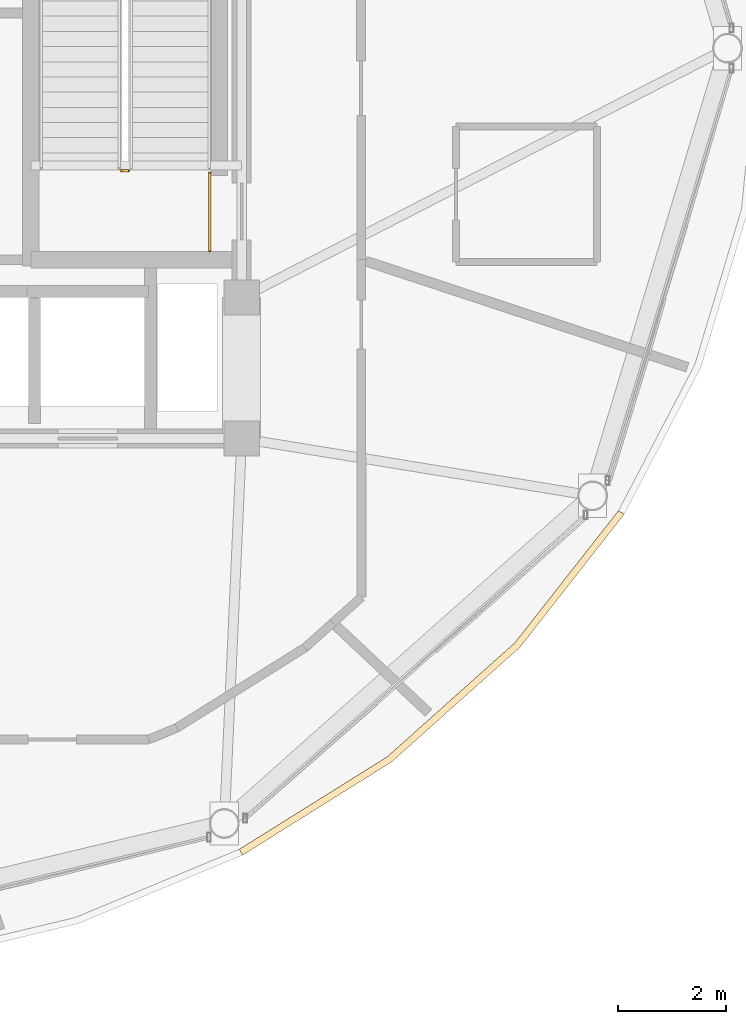
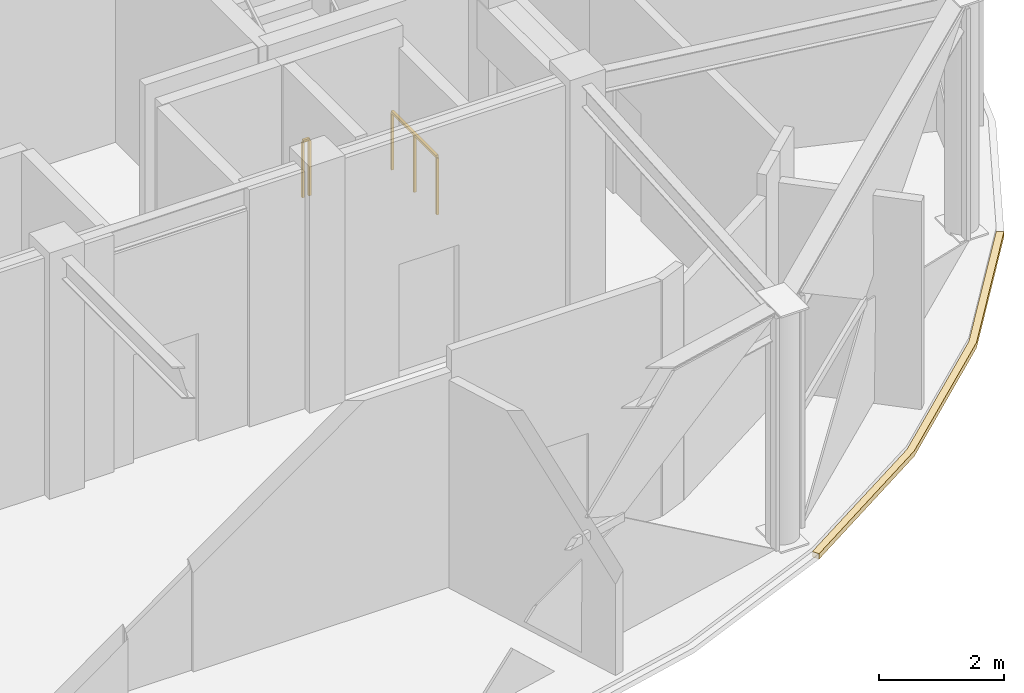
# One storey, part 20 of 22: 2 railings, 1 covering.
"""IFC4 building model written with IfcOpenShell, lengths in metres."""

from ifc_helpers import new_model, si_unit, direction, frame, origin, origin_2d, place, context, subcontext, project, spatial, polyline, rectangle, outline, extrude, material, layer, layer_set, type_object, element, save


model = new_model("IFC4")

# Units and contexts
model_context = context("Model", 3, precision=1e-05, world=origin(), true_north=direction((0.0, 1.0)))
body_context = subcontext(model_context, "Body", "Model", "MODEL_VIEW")
ifc_project = project(units=[si_unit("LENGTHUNIT", "METRE"), si_unit("AREAUNIT", "SQUARE_METRE"), si_unit("VOLUMEUNIT", "CUBIC_METRE"), si_unit("PLANEANGLEUNIT", "RADIAN"), si_unit("MASSUNIT", "GRAM", prefix="KILO")], contexts=[model_context])

# Site, building, storey
site_placement = place(None, origin())
site = spatial("IfcSite", under=ifc_project, at=site_placement, CompositionType="ELEMENT")
building_placement = place(site_placement, origin())
building = spatial("IfcBuilding", under=site, at=building_placement, Name="Vantalir Tower", CompositionType="ELEMENT")
storey_placement = place(building_placement, frame((0.0, 0.0, 294.89990234375)))
storey = spatial("IfcBuildingStorey", under=building, at=storey_placement, Name="L74", CompositionType="ELEMENT", Elevation=294.89990234375)

# Covering
ifc_material_1 = material(Name="Anodised champagne aluminium sill fascia", Category="aluminium")
ifc_layer = layer(ifc_material_1, 0.125)
ifc_layer_set = layer_set([ifc_layer], Name="Anodised champagne aluminium sill fascia")
covering_type = type_object("IfcCoveringType", Name="COV-SLAB-FASCIA-125", PredefinedType="CLADDING", material=ifc_layer_set)
covering_placement = place(storey_placement, frame((0.0, 0.0, -0.179931640625)))
element("IfcCovering", 1, at=covering_placement, inside=storey, type_object=covering_type, Name="L74 Perimeter Slab-Edge Sill Fascia 11", PredefinedType="CLADDING", context=body_context, shape_type="SweptSolid", body=[
    extrude(outline(polyline([(41.117919921875, 10.115966796875), (43.864013671875, 11.833984375), (46.235107421875, 13.951904296875), (48.157958984375, 16.406005859375), (48.050048828125, 16.468994140625), (46.138916015625, 14.032958984375), (43.783935546875, 11.929931640625), (41.054931640625, 10.22412109375), (41.117919921875, 10.115966796875)])), origin(), (0.0, 0.0, 1.0), 0.10498046875),
])

# Railings
ifc_material_2 = material(Name="Anodised aluminium and stainless steel guard", Category="steel")
railing_type = type_object("IfcRailingType", Name="RAL-GUARD-1120", PredefinedType="GUARDRAIL", material=ifc_material_2)
railing_1_placement = place(storey_placement, frame((39.010009765625, 22.739990234375, 0.0)))
element("IfcRailing", 2, at=railing_1_placement, inside=storey, type_object=railing_type, Name="L74 ST2 stair guard 4", PredefinedType="GUARDRAIL", context=body_context, shape_type="SweptSolid", body=[
    extrude(rectangle(XDim=0.048095703125, YDim=0.048095703125, at=origin_2d()), frame((0.0, 0.0, 1.09619140625), z_axis=(-1.0, 0.0, 0.0), x_axis=(0.0, -1.0, 0.0)), (0.0, 0.0, 1.0), 0.1201171875),
    extrude(rectangle(XDim=0.0419921875, YDim=0.0419921875, at=origin_2d()), origin(), (0.0, 0.0, 1.0), 1.072021484375),
    extrude(rectangle(XDim=0.0419921875, YDim=0.0419921875, at=origin_2d()), frame((-0.1201171875, 0.0, 0.0)), (0.0, 0.0, 1.0), 1.072021484375),
])
railing_2_placement = place(storey_placement, frame((40.510009765625, 21.260009765625, 0.0)))
element("IfcRailing", 3, at=railing_2_placement, inside=storey, type_object=railing_type, Name="L74 Stair ST2 Doorway Landing Guard", PredefinedType="GUARDRAIL", context=body_context, shape_type="SweptSolid", body=[
    extrude(rectangle(XDim=0.048095703125, YDim=0.048095703125, at=origin_2d()), frame((0.0, 0.0, 1.1259765625), z_axis=(0.0, 1.0, 0.0), x_axis=(-1.0, 0.0, 0.0)), (0.0, 0.0, 1.0), 1.43994140625),
    extrude(rectangle(XDim=0.0419921875, YDim=0.0419921875, at=origin_2d()), origin(), (0.0, 0.0, 1.0), 1.101806640625),
    extrude(rectangle(XDim=0.0419921875, YDim=0.0419921875, at=origin_2d()), frame((0.0, 0.719970703125, 0.0)), (0.0, 0.0, 1.0), 1.101806640625),
    extrude(rectangle(XDim=0.0419921875, YDim=0.0419921875, at=origin_2d()), frame((0.0, 1.43994140625, 0.0)), (0.0, 0.0, 1.0), 1.101806640625),
])

save(model, "model.ifc")
